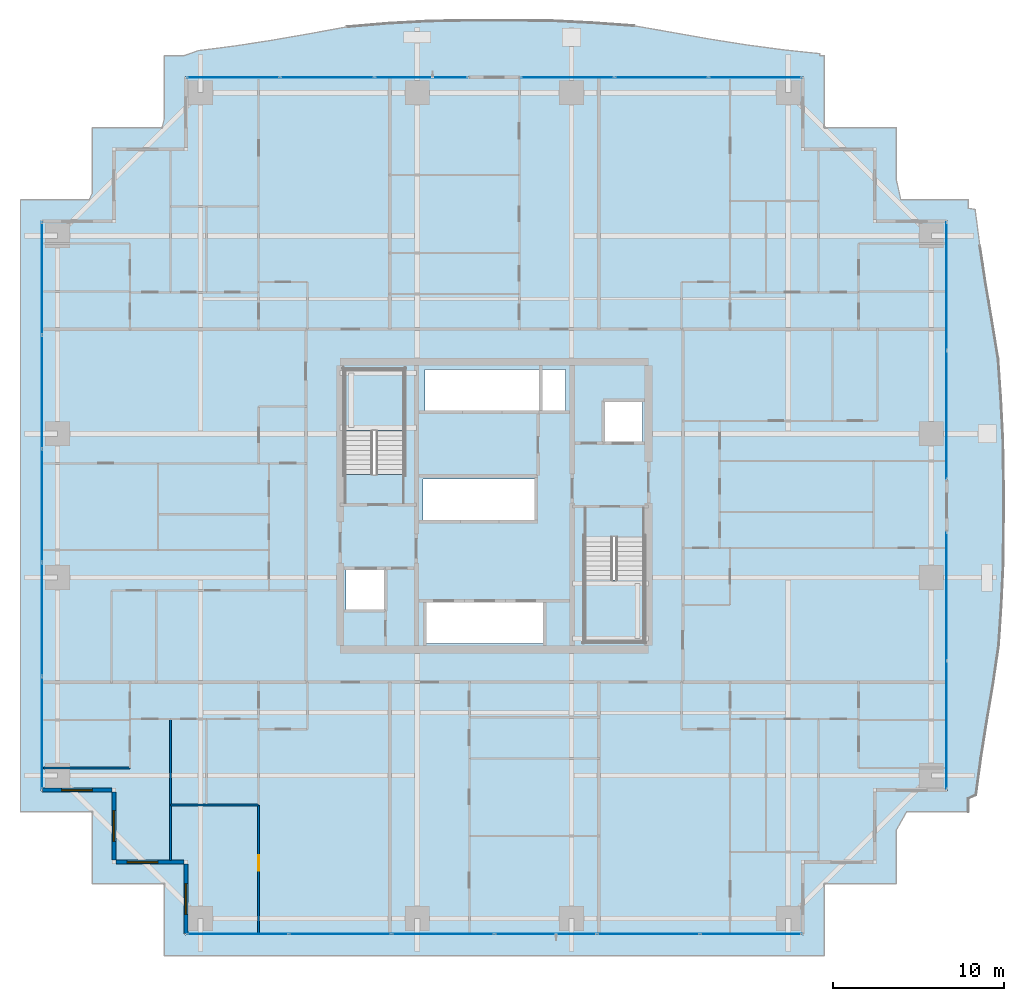
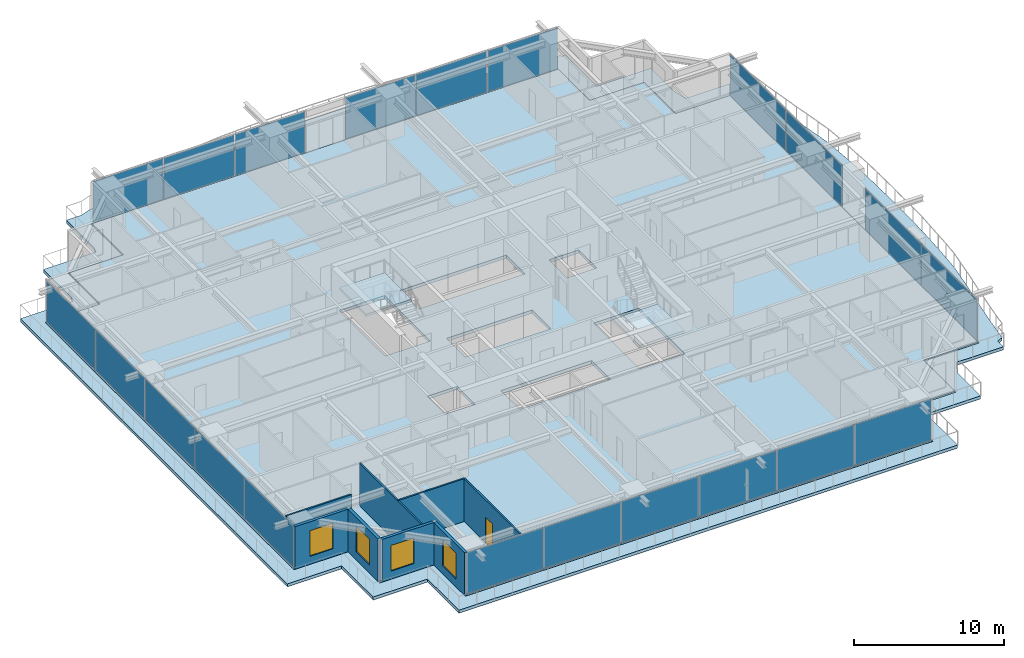
# One storey, part 25 of 38: 21 plates, 8 walls, 4 slabs, 4 windows, 1 door, 5 openings, 8 elements without a shape of their own.
"""IFC4 building model written with IfcOpenShell, lengths in metres."""

from ifc_helpers import new_model, si_unit, direction, frame, frame_2d, origin, origin_2d, place, context, subcontext, project, spatial, polyline, rectangle, outline, extrude, source, transform, mapped, material, layer, layer_set, type_object, element, fill, aggregate, save


model = new_model("IFC4")

# Units and contexts
model_context = context("Model", 3, precision=1e-05, world=origin(), true_north=direction((0.0, 1.0)))
body_context = subcontext(model_context, "Body", "Model", "MODEL_VIEW")
ifc_project = project(units=[si_unit("LENGTHUNIT", "METRE"), si_unit("AREAUNIT", "SQUARE_METRE"), si_unit("VOLUMEUNIT", "CUBIC_METRE"), si_unit("PLANEANGLEUNIT", "RADIAN"), si_unit("MASSUNIT", "GRAM", prefix="KILO")], contexts=[model_context])

# Site, building, storey
site_placement = place(None, origin())
site = spatial("IfcSite", under=ifc_project, at=site_placement, CompositionType="ELEMENT")
building_placement = place(site_placement, origin())
building = spatial("IfcBuilding", under=site, at=building_placement, Name="Serunith Strait Residences", CompositionType="ELEMENT")
storey_placement = place(building_placement, frame((0.0, 0.0, 30.449951171875)))
storey = spatial("IfcBuildingStorey", under=building, at=storey_placement, Name="L06", CompositionType="ELEMENT", Elevation=30.449951171875)

# Slab
ifc_material_1 = material(Name="Concrete C50/60", Category="concrete")
ifc_layer_1 = layer(ifc_material_1, 0.239990234375, Name="Concrete C50/60")
ifc_layer_set_1 = layer_set([ifc_layer_1], Name="Concrete C50/60")
slab_type_1 = type_object("IfcSlabType", Name="SLB-BALC-240", PredefinedType="FLOOR", material=ifc_layer_set_1)
slab_1_placement = place(storey_placement, frame((0.0, 0.0, -0.2900390625)))
element("IfcSlab", 1, at=slab_1_placement, inside=storey, type_object=slab_type_1, Name="L06 Planted Vertical-Forest Balcony Slab", PredefinedType="FLOOR", context=body_context, shape_type="SweptSolid", body=[
    extrude(outline(polyline([(13.00341796875, 47.260009765625), (13.139892578125, 47.77490234375), (13.139892578125, 51.4599609375), (14.294921875, 51.4599609375), (15.12109375, 51.755859375), (17.243408203125, 52.02587890625), (19.3837890625, 52.35498046875), (21.560302734375, 52.73486328125), (23.7939453125, 53.141357421875), (26.14306640625, 53.342041015625), (28.535888671875, 53.47412109375), (30.954345703125, 53.52001953125), (33.383056640625, 53.52001953125), (35.8046875, 53.492919921875), (38.203125, 53.37109375), (40.5673828125, 53.2021484375), (42.818603515625, 52.8115234375), (45.004638671875, 52.424072265625), (47.150390625, 52.084228515625), (49.275146484375, 51.802734375), (51.392578125, 51.578857421875), (51.391845703125, 51.4599609375), (51.659912109375, 51.4599609375), (51.659912109375, 47.260009765625), (55.860107421875, 47.260009765625), (55.860107421875, 44.209716796875), (56.122802734375, 43.06005859375), (60.06005859375, 43.06005859375), (60.06005859375, 42.552001953125), (60.45751953125, 42.488037109375), (60.734375, 40.360107421875), (61.06298828125, 38.210693359375), (61.432861328125, 36.023193359375), (61.802001953125, 33.775634765625), (61.963134765625, 31.42431640625), (62.082763671875, 29.04150390625), (62.1201171875, 26.63671875), (62.1201171875, 24.22314453125), (62.099609375, 21.815673828125), (61.989501953125, 19.427734375), (61.83544921875, 17.070068359375), (61.506103515625, 14.7998046875), (61.131103515625, 12.60302734375), (60.793212890625, 10.44775390625), (60.506103515625, 8.31689453125), (60.06005859375, 8.11279296875), (60.06005859375, 7.340087890625), (56.46923828125, 7.340087890625), (55.860107421875, 6.272705078125), (55.860107421875, 3.139892578125), (51.659912109375, 3.139892578125), (51.659912109375, -1.06005859375), (13.139892578125, -1.06005859375), (13.139892578125, 3.139892578125), (8.93994140625, 3.139892578125), (8.93994140625, 7.340087890625), (4.739990234375, 7.340087890625), (4.739990234375, 43.06005859375), (8.7587890625, 43.06005859375), (8.93994140625, 43.457763671875), (8.93994140625, 47.260009765625), (13.00341796875, 47.260009765625)]), holes=[polyline([(50.455078125, 0.14501953125), (50.455078125, 4.344970703125), (54.655029296875, 4.344970703125), (54.655029296875, 8.544921875), (58.85498046875, 8.544921875), (58.85498046875, 41.85498046875), (54.655029296875, 41.85498046875), (54.655029296875, 46.054931640625), (50.455078125, 46.054931640625), (50.455078125, 50.2548828125), (14.344970703125, 50.2548828125), (14.344970703125, 46.054931640625), (10.14501953125, 46.054931640625), (10.14501953125, 41.85498046875), (5.945068359375, 41.85498046875), (5.945068359375, 8.544921875), (10.14501953125, 8.544921875), (10.14501953125, 4.344970703125), (14.344970703125, 4.344970703125), (14.344970703125, 0.14501953125), (50.455078125, 0.14501953125)])]), origin(), (0.0, 0.0, 1.0), 0.239990234375),
])

# Stair, slab
stair_type_1 = type_object("IfcStairType", Name="STR-CORE-1", PredefinedType="HALF_TURN_STAIR", material=ifc_material_1)
stair_1_placement = place(storey_placement, origin())
stair_1 = element("IfcStair", 2, at=stair_1_placement, inside=storey, type_object=stair_type_1, Name="L06 Protected Escape Stair ST-1", PredefinedType="HALF_TURN_STAIR")
ifc_layer_2 = layer(ifc_material_1, 0.199951171875, Name="Concrete C50/60")
ifc_layer_set_2 = layer_set([ifc_layer_2], Name="Concrete C50/60")
slab_type_2 = type_object("IfcSlabType", Name="SLB-LAND-200", PredefinedType="LANDING", material=ifc_layer_set_2)
slab_2_placement = place(storey_placement, frame((0.0, 0.0, 1.675048828125)))
slab_2 = element("IfcSlab", 3, at=slab_2_placement, type_object=slab_type_2, Name="ST-1 landing 1", PredefinedType="LANDING", context=body_context, shape_type="SweptSolid", body=[
    extrude(outline(polyline([(27.14990234375, 29.550048828125), (27.14990234375, 33.14990234375), (23.64990234375, 33.14990234375), (23.64990234375, 29.550048828125), (27.14990234375, 29.550048828125)])), origin(), (0.0, 0.0, 1.0), 0.199951171875),
])
aggregate(stair_1, [slab_2])

stair_type_2 = type_object("IfcStairType", Name="STR-CORE-2", PredefinedType="HALF_TURN_STAIR", material=ifc_material_1)
stair_2_placement = place(storey_placement, origin())
stair_2 = element("IfcStair", 4, at=stair_2_placement, inside=storey, type_object=stair_type_2, Name="L06 Protected Escape Stair ST-2", PredefinedType="HALF_TURN_STAIR")
slab_3_placement = place(storey_placement, frame((0.0, 0.0, 1.675048828125)))
slab_3 = element("IfcSlab", 5, at=slab_3_placement, type_object=slab_type_2, Name="ST-2 landing 1", PredefinedType="LANDING", context=body_context, shape_type="SweptSolid", body=[
    extrude(outline(polyline([(37.64990234375, 20.85009765625), (37.64990234375, 17.25), (41.14990234375, 17.25), (41.14990234375, 20.85009765625), (37.64990234375, 20.85009765625)])), origin(), (0.0, 0.0, 1.0), 0.199951171875),
])
aggregate(stair_2, [slab_3])

# Slab
ifc_material_2 = material(Name="Concrete C60/75", Category="concrete")
ifc_layer_3 = layer(ifc_material_2, 0.260009765625, Name="Concrete C60/75")
ifc_layer_set_3 = layer_set([ifc_layer_3], Name="Concrete C60/75")
slab_type_3 = type_object("IfcSlabType", Name="SLB-TWR-260-Z1", PredefinedType="FLOOR", material=ifc_layer_set_3)
slab_4_placement = place(storey_placement, frame((0.0, 0.0, -0.260009765625)))
element("IfcSlab", 6, at=slab_4_placement, inside=storey, type_object=slab_type_3, Name="L06 Structural Floor Plate", PredefinedType="FLOOR", context=body_context, shape_type="SweptSolid", body=[
    extrude(outline(polyline([(14.39990234375, 4.39990234375), (10.199951171875, 4.39990234375), (10.199951171875, 8.60009765625), (6.0, 8.60009765625), (6.0, 41.800048828125), (10.199951171875, 41.800048828125), (10.199951171875, 46.0), (14.39990234375, 46.0), (14.39990234375, 50.199951171875), (50.39990234375, 50.199951171875), (50.39990234375, 46.0), (54.60009765625, 46.0), (54.60009765625, 41.800048828125), (58.800048828125, 41.800048828125), (58.800048828125, 8.60009765625), (54.60009765625, 8.60009765625), (54.60009765625, 4.39990234375), (50.39990234375, 4.39990234375), (50.39990234375, 0.199951171875), (14.39990234375, 0.199951171875), (14.39990234375, 4.39990234375)]), holes=[polyline([(41.14990234375, 17.25), (41.14990234375, 23.3701171875), (37.64990234375, 23.3701171875), (37.64990234375, 17.25), (41.14990234375, 17.25)]), polyline([(41.050048828125, 31.25), (38.75, 31.25), (38.75, 28.85009765625), (41.050048828125, 28.85009765625), (41.050048828125, 31.25)]), polyline([(36.550048828125, 33.14990234375), (28.35009765625, 33.14990234375), (28.35009765625, 30.64990234375), (36.550048828125, 30.64990234375), (36.550048828125, 33.14990234375)]), polyline([(28.35009765625, 19.64990234375), (28.35009765625, 17.14990234375), (35.35009765625, 17.14990234375), (35.35009765625, 19.64990234375), (28.35009765625, 19.64990234375)]), polyline([(34.85009765625, 26.75), (28.25, 26.75), (28.25, 24.25), (34.85009765625, 24.25), (34.85009765625, 26.75)]), polyline([(23.64990234375, 33.14990234375), (23.64990234375, 27.030029296875), (27.14990234375, 27.030029296875), (27.14990234375, 33.14990234375), (23.64990234375, 33.14990234375)]), polyline([(26.050048828125, 21.550048828125), (23.75, 21.550048828125), (23.75, 19.14990234375), (26.050048828125, 19.14990234375), (26.050048828125, 21.550048828125)])]), origin(), (0.0, 0.0, 1.0), 0.260009765625),
])

# Curtain wall, plates
ifc_material_3 = material(Name="Pale-Champagne Anodised Aluminium", Category="aluminium")
ifc_layer_4 = layer(ifc_material_3, 0.199951171875, Name="Pale-Champagne Anodised Aluminium")
ifc_layer_set_4 = layer_set([ifc_layer_4], Name="Pale-Champagne Anodised Aluminium")
curtain_wall_type = type_object("IfcCurtainWallType", Name="CW-SYS1", PredefinedType="NOTDEFINED", material=ifc_layer_set_4)
curtain_wall_1_placement = place(storey_placement, origin())
curtain_wall_1 = element("IfcCurtainWall", 7, at=curtain_wall_1_placement, inside=storey, type_object=curtain_wall_type, Name="L06 S Unitised Fritted Curtain Wall", PredefinedType="NOTDEFINED")
ifc_material_4 = material(Name="Ceramic-Fritted Low-E Double Glazing 28mm", Category="glass")
ifc_layer_5 = layer(ifc_material_4, 0.028076171875, Name="Ceramic-Fritted Low-E Double Glazing 28mm")
ifc_layer_set_5 = layer_set([ifc_layer_5], Name="Ceramic-Fritted Low-E Double Glazing 28mm")
plate_type = type_object("IfcPlateType", Name="CW-SYS1-PNL", PredefinedType="CURTAIN_PANEL", material=ifc_layer_set_5)
shared_shape_1 = source(origin(), body_context, "Body", "SweptSolid", [
    extrude(rectangle(XDim=5.89501953125, YDim=0.028076171875, at=origin_2d()), origin(), (0.0, 0.0, 1.0), 3.35498046875),
])
plate_1_placement = place(storey_placement, frame((17.41748046875, 0.199951171875, 0.06005859375), z_axis=(0.0, 0.0, 1.0), x_axis=(1.0, 0.0, 0.0)))
plate_1 = element("IfcPlate", 8, at=plate_1_placement, type_object=plate_type, Name="CW-1 panel 1.1", PredefinedType="CURTAIN_PANEL", context=body_context, shape_type="MappedRepresentation", body=[
    mapped(shared_shape_1, transform((0.0, 0.0, 0.0), scale=1.0)),
])
plate_2_placement = place(storey_placement, frame((47.382568359375, 0.199951171875, 0.06005859375), z_axis=(0.0, 0.0, 1.0), x_axis=(1.0, 0.0, 0.0)))
plate_2 = element("IfcPlate", 9, at=plate_2_placement, type_object=plate_type, Name="CW-1 panel 6.1", PredefinedType="CURTAIN_PANEL", context=body_context, shape_type="MappedRepresentation", body=[
    mapped(shared_shape_1, transform((0.0, 0.0, 0.0), scale=1.0)),
])
shared_shape_2 = source(origin(), body_context, "Body", "SweptSolid", [
    extrude(rectangle(XDim=5.929931640625, YDim=0.028076171875, at=origin_2d()), origin(), (0.0, 0.0, 1.0), 3.35498046875),
])
plate_3_placement = place(storey_placement, frame((23.39990234375, 0.199951171875, 0.06005859375), z_axis=(0.0, 0.0, 1.0), x_axis=(1.0, 0.0, 0.0)))
plate_3 = element("IfcPlate", 10, at=plate_3_placement, type_object=plate_type, Name="CW-1 panel 2.1", PredefinedType="CURTAIN_PANEL", context=body_context, shape_type="MappedRepresentation", body=[
    mapped(shared_shape_2, transform((0.0, 0.0, 0.0), scale=1.0)),
])
plate_4_placement = place(storey_placement, frame((29.39990234375, 0.199951171875, 0.06005859375), z_axis=(0.0, 0.0, 1.0), x_axis=(1.0, 0.0, 0.0)))
plate_4 = element("IfcPlate", 11, at=plate_4_placement, type_object=plate_type, Name="CW-1 panel 3.1", PredefinedType="CURTAIN_PANEL", context=body_context, shape_type="MappedRepresentation", body=[
    mapped(shared_shape_2, transform((0.0, 0.0, 0.0), scale=1.0)),
])
plate_5_placement = place(storey_placement, frame((35.39990234375, 0.199951171875, 0.06005859375), z_axis=(0.0, 0.0, 1.0), x_axis=(1.0, 0.0, 0.0)))
plate_5 = element("IfcPlate", 12, at=plate_5_placement, type_object=plate_type, Name="CW-1 panel 4.1", PredefinedType="CURTAIN_PANEL", context=body_context, shape_type="MappedRepresentation", body=[
    mapped(shared_shape_2, transform((0.0, 0.0, 0.0), scale=1.0)),
])
plate_6_placement = place(storey_placement, frame((41.39990234375, 0.199951171875, 0.06005859375), z_axis=(0.0, 0.0, 1.0), x_axis=(1.0, 0.0, 0.0)))
plate_6 = element("IfcPlate", 13, at=plate_6_placement, type_object=plate_type, Name="CW-1 panel 5.1", PredefinedType="CURTAIN_PANEL", context=body_context, shape_type="MappedRepresentation", body=[
    mapped(shared_shape_2, transform((0.0, 0.0, 0.0), scale=1.0)),
])
aggregate(curtain_wall_1, [plate_1, plate_3, plate_4, plate_5, plate_6, plate_2])

curtain_wall_2_placement = place(storey_placement, origin())
curtain_wall_2 = element("IfcCurtainWall", 14, at=curtain_wall_2_placement, inside=storey, type_object=curtain_wall_type, Name="L06 E Unitised Fritted Curtain Wall", PredefinedType="NOTDEFINED")
shared_shape_3 = source(origin(), body_context, "Body", "SweptSolid", [
    extrude(rectangle(XDim=7.445068359375, YDim=0.028076171875, at=origin_2d()), origin(), (0.0, 0.0, 1.0), 3.35498046875),
])
plate_7_placement = place(storey_placement, frame((58.800048828125, 12.392578125, 0.06005859375), z_axis=(0.0, 0.0, 1.0), x_axis=(0.0, 1.0, 0.0)))
plate_7 = element("IfcPlate", 15, at=plate_7_placement, type_object=plate_type, Name="CW-1 panel 1.1", PredefinedType="CURTAIN_PANEL", context=body_context, shape_type="MappedRepresentation", body=[
    mapped(shared_shape_3, transform((0.0, 0.0, 0.0), scale=1.0)),
])
plate_8_placement = place(storey_placement, frame((58.800048828125, 19.907470703125, 0.06005859375), z_axis=(0.0, 0.0, 1.0), x_axis=(0.0, 1.0, 0.0)))
plate_8 = element("IfcPlate", 16, at=plate_8_placement, type_object=plate_type, Name="CW-1 panel 2.1", PredefinedType="CURTAIN_PANEL", context=body_context, shape_type="MappedRepresentation", body=[
    mapped(shared_shape_3, transform((0.0, 0.0, 0.0), scale=1.0)),
])
aggregate(curtain_wall_2, [plate_7, plate_8])

curtain_wall_3_placement = place(storey_placement, origin())
curtain_wall_3 = element("IfcCurtainWall", 17, at=curtain_wall_3_placement, inside=storey, type_object=curtain_wall_type, Name="L06 E Unitised Fritted Curtain Wall", PredefinedType="NOTDEFINED")
plate_9_placement = place(storey_placement, frame((58.800048828125, 30.492431640625, 0.06005859375), z_axis=(0.0, 0.0, 1.0), x_axis=(0.0, 1.0, 0.0)))
plate_9 = element("IfcPlate", 18, at=plate_9_placement, type_object=plate_type, Name="CW-1 panel 1.1", PredefinedType="CURTAIN_PANEL", context=body_context, shape_type="MappedRepresentation", body=[
    mapped(shared_shape_3, transform((0.0, 0.0, 0.0), scale=1.0)),
])
plate_10_placement = place(storey_placement, frame((58.800048828125, 38.007568359375, 0.06005859375), z_axis=(0.0, 0.0, 1.0), x_axis=(0.0, 1.0, 0.0)))
plate_10 = element("IfcPlate", 19, at=plate_10_placement, type_object=plate_type, Name="CW-1 panel 2.1", PredefinedType="CURTAIN_PANEL", context=body_context, shape_type="MappedRepresentation", body=[
    mapped(shared_shape_3, transform((0.0, 0.0, 0.0), scale=1.0)),
])
aggregate(curtain_wall_3, [plate_9, plate_10])

curtain_wall_4_placement = place(storey_placement, origin())
curtain_wall_4 = element("IfcCurtainWall", 20, at=curtain_wall_4_placement, inside=storey, type_object=curtain_wall_type, Name="L06 N Unitised Fritted Curtain Wall", PredefinedType="NOTDEFINED")
shared_shape_4 = source(origin(), body_context, "Body", "SweptSolid", [
    extrude(rectangle(XDim=5.39501953125, YDim=0.028076171875, at=origin_2d()), origin(), (0.0, 0.0, 1.0), 3.35498046875),
])
plate_11_placement = place(storey_placement, frame((47.632568359375, 50.199951171875, 0.06005859375), z_axis=(0.0, 0.0, 1.0), x_axis=(-1.0, 0.0, 0.0)))
plate_11 = element("IfcPlate", 21, at=plate_11_placement, type_object=plate_type, Name="CW-1 panel 1.1", PredefinedType="CURTAIN_PANEL", context=body_context, shape_type="MappedRepresentation", body=[
    mapped(shared_shape_4, transform((0.0, 0.0, 0.0), scale=1.0)),
])
plate_12_placement = place(storey_placement, frame((36.66748046875, 50.199951171875, 0.06005859375), z_axis=(0.0, 0.0, 1.0), x_axis=(-1.0, 0.0, 0.0)))
plate_12 = element("IfcPlate", 22, at=plate_12_placement, type_object=plate_type, Name="CW-1 panel 3.1", PredefinedType="CURTAIN_PANEL", context=body_context, shape_type="MappedRepresentation", body=[
    mapped(shared_shape_4, transform((0.0, 0.0, 0.0), scale=1.0)),
])

curtain_wall_5_placement = place(storey_placement, origin())
curtain_wall_5 = element("IfcCurtainWall", 23, at=curtain_wall_5_placement, inside=storey, type_object=curtain_wall_type, Name="L06 N Unitised Fritted Curtain Wall", PredefinedType="NOTDEFINED")
plate_13_placement = place(storey_placement, frame((28.132568359375, 50.199951171875, 0.06005859375), z_axis=(0.0, 0.0, 1.0), x_axis=(-1.0, 0.0, 0.0)))
plate_13 = element("IfcPlate", 24, at=plate_13_placement, type_object=plate_type, Name="CW-1 panel 1.1", PredefinedType="CURTAIN_PANEL", context=body_context, shape_type="MappedRepresentation", body=[
    mapped(shared_shape_4, transform((0.0, 0.0, 0.0), scale=1.0)),
])
plate_14_placement = place(storey_placement, frame((17.16748046875, 50.199951171875, 0.06005859375), z_axis=(0.0, 0.0, 1.0), x_axis=(-1.0, 0.0, 0.0)))
plate_14 = element("IfcPlate", 25, at=plate_14_placement, type_object=plate_type, Name="CW-1 panel 3.1", PredefinedType="CURTAIN_PANEL", context=body_context, shape_type="MappedRepresentation", body=[
    mapped(shared_shape_4, transform((0.0, 0.0, 0.0), scale=1.0)),
])

# Plate
shared_shape_5 = source(origin(), body_context, "Body", "SweptSolid", [
    extrude(rectangle(XDim=5.429931640625, YDim=0.028076171875, at=origin_2d()), origin(), (0.0, 0.0, 1.0), 3.35498046875),
])
plate_15_placement = place(storey_placement, frame((42.14990234375, 50.199951171875, 0.06005859375), z_axis=(0.0, 0.0, 1.0), x_axis=(-1.0, 0.0, 0.0)))
plate_15 = element("IfcPlate", 26, at=plate_15_placement, type_object=plate_type, Name="CW-1 panel 2.1", PredefinedType="CURTAIN_PANEL", context=body_context, shape_type="MappedRepresentation", body=[
    mapped(shared_shape_5, transform((0.0, 0.0, 0.0), scale=1.0)),
])

aggregate(curtain_wall_4, [plate_11, plate_15, plate_12])

plate_16_placement = place(storey_placement, frame((22.64990234375, 50.199951171875, 0.06005859375), z_axis=(0.0, 0.0, 1.0), x_axis=(-1.0, 0.0, 0.0)))
plate_16 = element("IfcPlate", 27, at=plate_16_placement, type_object=plate_type, Name="CW-1 panel 2.1", PredefinedType="CURTAIN_PANEL", context=body_context, shape_type="MappedRepresentation", body=[
    mapped(shared_shape_5, transform((0.0, 0.0, 0.0), scale=1.0)),
])

aggregate(curtain_wall_5, [plate_13, plate_16, plate_14])

# Curtain wall, plates
curtain_wall_6_placement = place(storey_placement, origin())
curtain_wall_6 = element("IfcCurtainWall", 28, at=curtain_wall_6_placement, inside=storey, type_object=curtain_wall_type, Name="L06 W Unitised Fritted Curtain Wall", PredefinedType="NOTDEFINED")
shared_shape_6 = source(origin(), body_context, "Body", "SweptSolid", [
    extrude(rectangle(XDim=6.534912109375, YDim=0.028076171875, at=origin_2d()), origin(), (0.0, 0.0, 1.0), 3.35498046875),
])
plate_17_placement = place(storey_placement, frame((6.0, 38.46240234375, 0.06005859375), z_axis=(0.0, 0.0, 1.0), x_axis=(0.0, -1.0, 0.0)))
plate_17 = element("IfcPlate", 29, at=plate_17_placement, type_object=plate_type, Name="CW-1 panel 1.1", PredefinedType="CURTAIN_PANEL", context=body_context, shape_type="MappedRepresentation", body=[
    mapped(shared_shape_6, transform((0.0, 0.0, 0.0), scale=1.0)),
])
plate_18_placement = place(storey_placement, frame((6.0, 11.9375, 0.06005859375), z_axis=(0.0, 0.0, 1.0), x_axis=(0.0, -1.0, 0.0)))
plate_18 = element("IfcPlate", 30, at=plate_18_placement, type_object=plate_type, Name="CW-1 panel 5.1", PredefinedType="CURTAIN_PANEL", context=body_context, shape_type="MappedRepresentation", body=[
    mapped(shared_shape_6, transform((0.0, 0.0, 0.0), scale=1.0)),
])
shared_shape_7 = source(origin(), body_context, "Body", "SweptSolid", [
    extrude(rectangle(XDim=6.570068359375, YDim=0.028076171875, at=origin_2d()), origin(), (0.0, 0.0, 1.0), 3.35498046875),
])
plate_19_placement = place(storey_placement, frame((6.0, 31.840087890625, 0.06005859375), z_axis=(0.0, 0.0, 1.0), x_axis=(0.0, -1.0, 0.0)))
plate_19 = element("IfcPlate", 31, at=plate_19_placement, type_object=plate_type, Name="CW-1 panel 2.1", PredefinedType="CURTAIN_PANEL", context=body_context, shape_type="MappedRepresentation", body=[
    mapped(shared_shape_7, transform((0.0, 0.0, 0.0), scale=1.0)),
])
plate_20_placement = place(storey_placement, frame((6.0, 25.199951171875, 0.06005859375), z_axis=(0.0, 0.0, 1.0), x_axis=(0.0, -1.0, 0.0)))
plate_20 = element("IfcPlate", 32, at=plate_20_placement, type_object=plate_type, Name="CW-1 panel 3.1", PredefinedType="CURTAIN_PANEL", context=body_context, shape_type="MappedRepresentation", body=[
    mapped(shared_shape_7, transform((0.0, 0.0, 0.0), scale=1.0)),
])
plate_21_placement = place(storey_placement, frame((6.0, 18.56005859375, 0.06005859375), z_axis=(0.0, 0.0, 1.0), x_axis=(0.0, -1.0, 0.0)))
plate_21 = element("IfcPlate", 33, at=plate_21_placement, type_object=plate_type, Name="CW-1 panel 4.1", PredefinedType="CURTAIN_PANEL", context=body_context, shape_type="MappedRepresentation", body=[
    mapped(shared_shape_7, transform((0.0, 0.0, 0.0), scale=1.0)),
])
aggregate(curtain_wall_6, [plate_17, plate_19, plate_20, plate_21, plate_18])

# Wall, opening, window
ifc_material_5 = material(Name="Pale-Champagne Aluminium Insulated Panel", Category="aluminium")
ifc_layer_6 = layer(ifc_material_5, 0.219970703125, Name="Pale-Champagne Aluminium Insulated Panel")
ifc_layer_set_6 = layer_set([ifc_layer_6], Name="Pale-Champagne Aluminium Insulated Panel")
wall_type_1 = type_object("IfcWallType", Name="EW-ALUM-220", PredefinedType="ELEMENTEDWALL", material=ifc_layer_set_6)
wall_1_placement = place(storey_placement, frame((6.0, 8.60009765625, 0.0), z_axis=(0.0, 0.0, 1.0), x_axis=(1.0, 0.0, 0.0)))
wall_1 = element("IfcWall", 34, at=wall_1_placement, inside=storey, type_object=wall_type_1, Name="L06 Girih Serrated Corner Wall 17", PredefinedType="ELEMENTEDWALL", context=body_context, shape_type="SweptSolid", body=[
    extrude(rectangle(XDim=4.090087890625, YDim=0.219970703125, at=frame_2d((2.044921875, 0.0))), origin(), (0.0, 0.0, 1.0), 3.47509765625),
])
opening_1_placement = place(wall_1_placement, frame((1.14501953125, 0.0, 0.64990234375)))
opening_1 = element("IfcOpeningElement", 35, at=opening_1_placement, cuts=wall_1, Name="Opening W-01", PredefinedType="OPENING", context=body_context, shape_type="SweptSolid", body=[
    extrude(rectangle(XDim=1.800048828125, YDim=2.10009765625, at=frame_2d((0.89990234375, 1.050048828125))), frame((0.0, 0.1201171875, 0.0), z_axis=(0.0, -1.0, 0.0), x_axis=(1.0, 0.0, 0.0)), (0.0, 0.0, 1.0), 0.239990234375),
])
ifc_material_6 = material(Name="Ceramic-Fritted Operable Aluminium Window Glass", Category="aluminium")
window_type = type_object("IfcWindowType", Name="WIN-C1", PartitioningType="DOUBLE_PANEL_VERTICAL", PredefinedType="WINDOW", material=ifc_material_6)
shared_shape_8 = source(origin(), body_context, "Body", "SweptSolid", [
    extrude(rectangle(XDim=1.800048828125, YDim=2.10009765625, at=frame_2d((0.89990234375, 1.050048828125))), frame((0.0, 0.030029296875, 0.0), z_axis=(0.0, -1.0, 0.0), x_axis=(1.0, 0.0, 0.0)), (0.0, 0.0, 1.0), 0.06005859375),
])
window_1_placement = place(opening_1_placement, origin())
window_1 = element("IfcWindow", 36, at=window_1_placement, inside=storey, type_object=window_type, Name="L06 Corner Operable Fritted Window 17", OverallHeight=2.10009765625, OverallWidth=1.800048828125, PartitioningType="SINGLE_PANEL", PredefinedType="WINDOW", context=body_context, shape_type="MappedRepresentation", body=[
    mapped(shared_shape_8, transform((0.0, 0.0, 0.0), scale=1.0)),
])
fill(opening_1, window_1)

wall_2_placement = place(storey_placement, frame((10.199951171875, 8.489990234375, 0.0), z_axis=(0.0, 0.0, 1.0), x_axis=(0.0, -1.0, 0.0)))
wall_2 = element("IfcWall", 37, at=wall_2_placement, inside=storey, type_object=wall_type_1, Name="L06 Girih Serrated Corner Wall 18", PredefinedType="ELEMENTEDWALL", context=body_context, shape_type="SweptSolid", body=[
    extrude(rectangle(XDim=3.97998046875, YDim=0.219970703125, at=frame_2d((1.989990234375, 0.0))), origin(), (0.0, 0.0, 1.0), 3.47509765625),
])
opening_2_placement = place(wall_2_placement, frame((1.090087890625, 0.0, 0.64990234375)))
opening_2 = element("IfcOpeningElement", 38, at=opening_2_placement, cuts=wall_2, Name="Opening W-01", PredefinedType="OPENING", context=body_context, shape_type="SweptSolid", body=[
    extrude(rectangle(XDim=1.800048828125, YDim=2.10009765625, at=frame_2d((0.89990234375, 1.050048828125))), frame((0.0, 0.1201171875, 0.0), z_axis=(0.0, -1.0, 0.0), x_axis=(1.0, 0.0, 0.0)), (0.0, 0.0, 1.0), 0.239990234375),
])
window_2_placement = place(opening_2_placement, origin())
window_2 = element("IfcWindow", 39, at=window_2_placement, inside=storey, type_object=window_type, Name="L06 Corner Operable Fritted Window 18", OverallHeight=2.10009765625, OverallWidth=1.800048828125, PartitioningType="SINGLE_PANEL", PredefinedType="WINDOW", context=body_context, shape_type="MappedRepresentation", body=[
    mapped(shared_shape_8, transform((0.0, 0.0, 0.0), scale=1.0)),
])
fill(opening_2, window_2)

wall_3_placement = place(storey_placement, frame((10.31005859375, 4.39990234375, 0.0), z_axis=(0.0, 0.0, 1.0), x_axis=(1.0, 0.0, 0.0)))
wall_3 = element("IfcWall", 40, at=wall_3_placement, inside=storey, type_object=wall_type_1, Name="L06 Girih Serrated Corner Wall 19", PredefinedType="ELEMENTEDWALL", context=body_context, shape_type="SweptSolid", body=[
    extrude(rectangle(XDim=3.97998046875, YDim=0.219970703125, at=frame_2d((1.989990234375, 0.0))), origin(), (0.0, 0.0, 1.0), 3.47509765625),
])
opening_3_placement = place(wall_3_placement, frame((0.654052734375, 0.0, 0.64990234375)))
opening_3 = element("IfcOpeningElement", 41, at=opening_3_placement, cuts=wall_3, Name="Opening W-01", PredefinedType="OPENING", context=body_context, shape_type="SweptSolid", body=[
    extrude(rectangle(XDim=1.800048828125, YDim=2.10009765625, at=frame_2d((0.89990234375, 1.050048828125))), frame((0.0, 0.1201171875, 0.0), z_axis=(0.0, -1.0, 0.0), x_axis=(1.0, 0.0, 0.0)), (0.0, 0.0, 1.0), 0.239990234375),
])
window_3_placement = place(opening_3_placement, origin())
window_3 = element("IfcWindow", 42, at=window_3_placement, inside=storey, type_object=window_type, Name="L06 Corner Operable Fritted Window 19", OverallHeight=2.10009765625, OverallWidth=1.800048828125, PartitioningType="SINGLE_PANEL", PredefinedType="WINDOW", context=body_context, shape_type="MappedRepresentation", body=[
    mapped(shared_shape_8, transform((0.0, 0.0, 0.0), scale=1.0)),
])
fill(opening_3, window_3)

wall_4_placement = place(storey_placement, frame((14.39990234375, 4.2900390625, 0.0), z_axis=(0.0, 0.0, 1.0), x_axis=(0.0, -1.0, 0.0)))
wall_4 = element("IfcWall", 43, at=wall_4_placement, inside=storey, type_object=wall_type_1, Name="L06 Girih Serrated Corner Wall 20", PredefinedType="ELEMENTEDWALL", context=body_context, shape_type="SweptSolid", body=[
    extrude(rectangle(XDim=4.090087890625, YDim=0.219970703125, at=frame_2d((2.044921875, 0.0))), origin(), (0.0, 0.0, 1.0), 3.47509765625),
])
opening_4_placement = place(wall_4_placement, frame((1.14501953125, 0.0, 0.64990234375)))
opening_4 = element("IfcOpeningElement", 44, at=opening_4_placement, cuts=wall_4, Name="Opening W-01", PredefinedType="OPENING", context=body_context, shape_type="SweptSolid", body=[
    extrude(rectangle(XDim=1.800048828125, YDim=2.10009765625, at=frame_2d((0.89990234375, 1.050048828125))), frame((0.0, 0.1201171875, 0.0), z_axis=(0.0, -1.0, 0.0), x_axis=(1.0, 0.0, 0.0)), (0.0, 0.0, 1.0), 0.239990234375),
])
window_4_placement = place(opening_4_placement, origin())
window_4 = element("IfcWindow", 45, at=window_4_placement, inside=storey, type_object=window_type, Name="L06 Corner Operable Fritted Window 20", OverallHeight=2.10009765625, OverallWidth=1.800048828125, PartitioningType="SINGLE_PANEL", PredefinedType="WINDOW", context=body_context, shape_type="MappedRepresentation", body=[
    mapped(shared_shape_8, transform((0.0, 0.0, 0.0), scale=1.0)),
])
fill(opening_4, window_4)

# Wall, opening, door
ifc_material_7 = material(Name="Lightweight steel-stud gypsum partition", Category="steel")
ifc_layer_7 = layer(ifc_material_7, 0.1201171875, Name="Lightweight steel-stud gypsum partition")
ifc_layer_set_7 = layer_set([ifc_layer_7], Name="Lightweight steel-stud gypsum partition")
wall_type_2 = type_object("IfcWallType", Name="IW-PART-120", PredefinedType="PARTITIONING", material=ifc_layer_set_7)
wall_5_placement = place(storey_placement, frame((18.639892578125, 0.294921875, 0.0), z_axis=(0.0, 0.0, 1.0), x_axis=(0.0, 1.0, 0.0)))
wall_5 = element("IfcWall", 46, at=wall_5_placement, inside=storey, type_object=wall_type_2, Name="L06 Partition Wall 029", PredefinedType="PARTITIONING", context=body_context, shape_type="SweptSolid", body=[
    extrude(rectangle(XDim=7.43310546875, YDim=0.1201171875, at=frame_2d((3.716552734375, 0.0))), origin(), (0.0, 0.0, 1.0), 3.489990234375),
])
opening_5_placement = place(wall_5_placement, frame((3.593017578125, 0.0, 0.0)))
opening_5 = element("IfcOpeningElement", 47, at=opening_5_placement, cuts=wall_5, Name="Opening D-RM900", PredefinedType="OPENING", context=body_context, shape_type="SweptSolid", body=[
    extrude(rectangle(XDim=0.89990234375, YDim=2.10009765625, at=frame_2d((0.449951171875, 1.050048828125))), frame((0.0, 0.070068359375, 0.0), z_axis=(0.0, -1.0, 0.0), x_axis=(1.0, 0.0, 0.0)), (0.0, 0.0, 1.0), 0.14013671875),
])
ifc_material_8 = material(Name="Engineered timber flush bedroom door", Category="wood")
door_type = type_object("IfcDoorType", Name="ID-ROOM-900", OperationType="NOTDEFINED", PredefinedType="DOOR", material=ifc_material_8)
shared_shape_9 = source(origin(), body_context, "Body", "SweptSolid", [
    extrude(rectangle(XDim=0.89990234375, YDim=2.10009765625, at=frame_2d((0.449951171875, 1.050048828125))), frame((0.0, 0.02490234375, 0.0), z_axis=(0.0, -1.0, 0.0), x_axis=(1.0, 0.0, 0.0)), (0.0, 0.0, 1.0), 0.050048828125),
])
door_placement = place(opening_5_placement, origin())
door = element("IfcDoor", 48, at=door_placement, inside=storey, type_object=door_type, Name="L06 Formal Dining Room 1 0601 Door", OperationType="SINGLE_SWING_LEFT", OverallHeight=2.10009765625, OverallWidth=0.89990234375, PredefinedType="DOOR", context=body_context, shape_type="MappedRepresentation", body=[
    mapped(shared_shape_9, transform((0.0, 0.0, 0.0), scale=1.0)),
])
fill(opening_5, door)

# Walls
wall_6_placement = place(storey_placement, frame((13.489990234375, 7.72802734375, 0.0), z_axis=(0.0, 0.0, 1.0), x_axis=(1.0, 0.0, 0.0)))
element("IfcWall", 49, at=wall_6_placement, inside=storey, type_object=wall_type_2, Name="L06 Partition Wall 031", PredefinedType="PARTITIONING", context=body_context, shape_type="SweptSolid", body=[
    extrude(rectangle(XDim=5.14990234375, YDim=0.1201171875, at=frame_2d((2.574951171875, 0.0))), origin(), (0.0, 0.0, 1.0), 3.489990234375),
])
wall_7_placement = place(storey_placement, frame((13.489990234375, 4.4951171875, 0.0), z_axis=(0.0, 0.0, 1.0), x_axis=(0.0, 1.0, 0.0)))
element("IfcWall", 50, at=wall_7_placement, inside=storey, type_object=wall_type_2, Name="L06 Partition Wall 032", PredefinedType="PARTITIONING", context=body_context, shape_type="SweptSolid", body=[
    extrude(rectangle(XDim=8.2548828125, YDim=0.1201171875, at=frame_2d((4.12744140625, 0.0))), origin(), (0.0, 0.0, 1.0), 3.489990234375),
])
wall_8_placement = place(storey_placement, frame((6.094970703125, 9.89404296875, 0.0), z_axis=(0.0, 0.0, 1.0), x_axis=(1.0, 0.0, 0.0)))
element("IfcWall", 51, at=wall_8_placement, inside=storey, type_object=wall_type_2, Name="L06 Partition Wall 037", PredefinedType="PARTITIONING", context=body_context, shape_type="SweptSolid", body=[
    extrude(rectangle(XDim=5.044921875, YDim=0.1201171875, at=frame_2d((2.5224609375, 0.0))), origin(), (0.0, 0.0, 1.0), 3.489990234375),
])

save(model, "model.ifc")
